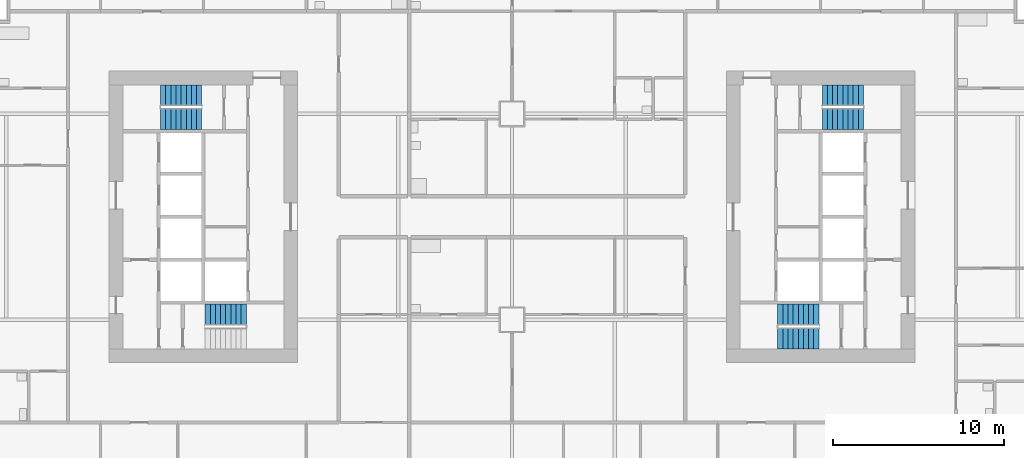
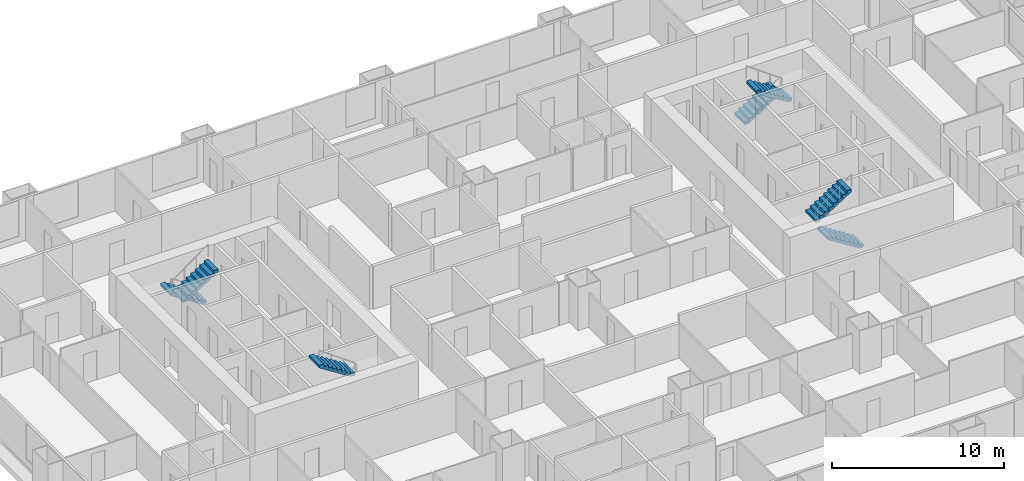
# One storey, part 11 of 13: 7 stair flights, 4 elements without a shape of their own.
"""IFC4 building model written with IfcOpenShell, lengths in metres."""

from ifc_helpers import new_model, si_unit, direction, frame, origin, place, context, subcontext, project, spatial, polyline, outline, extrude, material, type_object, element, aggregate, save


model = new_model("IFC4")

# Units and contexts
model_context = context("Model", 3, precision=1e-05, world=origin(), true_north=direction((0.0, 1.0)))
body_context = subcontext(model_context, "Body", "Model", "MODEL_VIEW")
ifc_project = project(units=[si_unit("LENGTHUNIT", "METRE"), si_unit("AREAUNIT", "SQUARE_METRE"), si_unit("VOLUMEUNIT", "CUBIC_METRE"), si_unit("PLANEANGLEUNIT", "RADIAN"), si_unit("MASSUNIT", "GRAM", prefix="KILO")], contexts=[model_context])

# Site, building, storey
site_placement = place(None, origin())
site = spatial("IfcSite", under=ifc_project, at=site_placement, CompositionType="ELEMENT")
building_placement = place(site_placement, origin())
building = spatial("IfcBuilding", under=site, at=building_placement, Name="Kitamizu Gate Tower and Museum", CompositionType="ELEMENT")
storey_placement = place(building_placement, frame((0.0, 0.0, 40.35009765625)))
storey = spatial("IfcBuildingStorey", under=building, at=storey_placement, Name="L08", CompositionType="ELEMENT", Elevation=40.35009765625)

# Stair, stair flight
ifc_material_1 = material(Name="Concrete Fc42", Category="concrete")
stair_type = type_object("IfcStairType", Name="Exit stair 1200 wide 192 rise 300 going", PredefinedType="HALF_TURN_STAIR", material=ifc_material_1)
stair_1_placement = place(storey_placement, origin())
stair_1 = element("IfcStair", 1, at=stair_1_placement, inside=storey, type_object=stair_type, Name="Exit stair ST1", PredefinedType="HALF_TURN_STAIR")
ifc_material_2 = material(Name="Concrete Fc42", Category="concrete")
stair_flight_type = type_object("IfcStairFlightType", Name="Stair flight 1200 wide 192 rise 300 going", PredefinedType="STRAIGHT", material=ifc_material_2)
stair_flight_1_placement = place(storey_placement, frame((20.5, 24.300048828125, 1.724853515625), z_axis=(0.0, 0.0, 1.0), x_axis=(-1.0, 0.0, 0.0)))
stair_flight_1 = element("IfcStairFlight", 2, at=stair_flight_1_placement, type_object=stair_flight_type, Name="ST1 flight 2", NumberOfRisers=9, NumberOfTreads=8, PredefinedType="STRAIGHT", RiserHeight=0.191666667, TreadLength=0.3, context=body_context, shape_type="SweptSolid", body=[
    extrude(outline(polyline([(0.0, 0.0), (0.0, 0.191650390625), (0.300048828125, 0.191650390625), (0.300048828125, 0.38330078125), (0.60009765625, 0.38330078125), (0.60009765625, 0.574951171875), (0.89990234375, 0.574951171875), (0.89990234375, 0.7666015625), (1.199951171875, 0.7666015625), (1.199951171875, 0.958251953125), (1.5, 0.958251953125), (1.5, 1.14990234375), (1.800048828125, 1.14990234375), (1.800048828125, 1.341552734375), (2.10009765625, 1.341552734375), (2.10009765625, 1.533447265625), (2.39990234375, 1.533447265625), (2.39990234375, 1.72509765625), (2.39990234375, 1.35546875), (0.2783203125, 0.0), (0.0, 0.0)])), frame((0.0, 0.60009765625, 0.0), z_axis=(0.0, -1.0, 0.0), x_axis=(1.0, 0.0, 0.0)), (0.0, 0.0, 1.0), 1.199951171875),
])
aggregate(stair_1, [stair_flight_1])

# Stair, stair flights
stair_2_placement = place(storey_placement, origin())
stair_2 = element("IfcStair", 3, at=stair_2_placement, inside=storey, type_object=stair_type, Name="Exit stair ST2", PredefinedType="HALF_TURN_STAIR")
stair_flight_2_placement = place(storey_placement, frame((17.89990234375, 37.10009765625, 0.0), z_axis=(0.0, 0.0, 1.0), x_axis=(-1.0, 0.0, 0.0)))
stair_flight_2 = element("IfcStairFlight", 4, at=stair_flight_2_placement, type_object=stair_flight_type, Name="ST2 flight 1", NumberOfRisers=9, NumberOfTreads=8, PredefinedType="STRAIGHT", RiserHeight=0.191666667, TreadLength=0.3, context=body_context, shape_type="SweptSolid", body=[
    extrude(outline(polyline([(0.0, 0.0), (0.0, 0.191650390625), (0.300048828125, 0.191650390625), (0.300048828125, 0.38330078125), (0.60009765625, 0.38330078125), (0.60009765625, 0.574951171875), (0.89990234375, 0.574951171875), (0.89990234375, 0.7666015625), (1.199951171875, 0.7666015625), (1.199951171875, 0.958251953125), (1.5, 0.958251953125), (1.5, 1.14990234375), (1.800048828125, 1.14990234375), (1.800048828125, 1.341552734375), (2.10009765625, 1.341552734375), (2.10009765625, 1.533447265625), (2.39990234375, 1.533447265625), (2.39990234375, 1.72509765625), (2.39990234375, 1.35546875), (0.2783203125, 0.0), (0.0, 0.0)])), frame((0.0, 0.60009765625, 0.0), z_axis=(0.0, -1.0, 0.0), x_axis=(1.0, 0.0, 0.0)), (0.0, 0.0, 1.0), 1.199951171875),
])
stair_flight_3_placement = place(storey_placement, frame((15.5, 35.699951171875, 1.724853515625), z_axis=(0.0, 0.0, 1.0), x_axis=(1.0, 0.0, 0.0)))
stair_flight_3 = element("IfcStairFlight", 5, at=stair_flight_3_placement, type_object=stair_flight_type, Name="ST2 flight 2", NumberOfRisers=9, NumberOfTreads=8, PredefinedType="STRAIGHT", RiserHeight=0.191666667, TreadLength=0.3, context=body_context, shape_type="SweptSolid", body=[
    extrude(outline(polyline([(0.0, 0.0), (0.0, 0.191650390625), (0.300048828125, 0.191650390625), (0.300048828125, 0.38330078125), (0.60009765625, 0.38330078125), (0.60009765625, 0.574951171875), (0.89990234375, 0.574951171875), (0.89990234375, 0.7666015625), (1.199951171875, 0.7666015625), (1.199951171875, 0.958251953125), (1.5, 0.958251953125), (1.5, 1.14990234375), (1.800048828125, 1.14990234375), (1.800048828125, 1.341552734375), (2.10009765625, 1.341552734375), (2.10009765625, 1.533447265625), (2.39990234375, 1.533447265625), (2.39990234375, 1.72509765625), (2.39990234375, 1.35546875), (0.2783203125, 0.0), (0.0, 0.0)])), frame((0.0, 0.60009765625, 0.0), z_axis=(0.0, -1.0, 0.0), x_axis=(1.0, 0.0, 0.0)), (0.0, 0.0, 1.0), 1.199951171875),
])
aggregate(stair_2, [stair_flight_2, stair_flight_3])

stair_3_placement = place(storey_placement, origin())
stair_3 = element("IfcStair", 6, at=stair_3_placement, inside=storey, type_object=stair_type, Name="Exit stair ST3", PredefinedType="HALF_TURN_STAIR")
stair_flight_4_placement = place(storey_placement, frame((53.89990234375, 22.89990234375, 0.0), z_axis=(0.0, 0.0, 1.0), x_axis=(-1.0, 0.0, 0.0)))
stair_flight_4 = element("IfcStairFlight", 7, at=stair_flight_4_placement, type_object=stair_flight_type, Name="ST3 flight 1", NumberOfRisers=9, NumberOfTreads=8, PredefinedType="STRAIGHT", RiserHeight=0.191666667, TreadLength=0.3, context=body_context, shape_type="SweptSolid", body=[
    extrude(outline(polyline([(0.0, 0.0), (0.0, 0.191650390625), (0.300048828125, 0.191650390625), (0.300048828125, 0.38330078125), (0.60009765625, 0.38330078125), (0.60009765625, 0.574951171875), (0.89990234375, 0.574951171875), (0.89990234375, 0.7666015625), (1.199951171875, 0.7666015625), (1.199951171875, 0.958251953125), (1.5, 0.958251953125), (1.5, 1.14990234375), (1.800048828125, 1.14990234375), (1.800048828125, 1.341552734375), (2.10009765625, 1.341552734375), (2.10009765625, 1.533447265625), (2.39990234375, 1.533447265625), (2.39990234375, 1.72509765625), (2.39990234375, 1.35546875), (0.2783203125, 0.0), (0.0, 0.0)])), frame((0.0, 0.60009765625, 0.0), z_axis=(0.0, -1.0, 0.0), x_axis=(1.0, 0.0, 0.0)), (0.0, 0.0, 1.0), 1.199951171875),
])
stair_flight_5_placement = place(storey_placement, frame((51.5, 24.300048828125, 1.724853515625), z_axis=(0.0, 0.0, 1.0), x_axis=(1.0, 0.0, 0.0)))
stair_flight_5 = element("IfcStairFlight", 8, at=stair_flight_5_placement, type_object=stair_flight_type, Name="ST3 flight 2", NumberOfRisers=9, NumberOfTreads=8, PredefinedType="STRAIGHT", RiserHeight=0.191666667, TreadLength=0.3, context=body_context, shape_type="SweptSolid", body=[
    extrude(outline(polyline([(0.0, 0.0), (0.0, 0.191650390625), (0.300048828125, 0.191650390625), (0.300048828125, 0.38330078125), (0.60009765625, 0.38330078125), (0.60009765625, 0.574951171875), (0.89990234375, 0.574951171875), (0.89990234375, 0.7666015625), (1.199951171875, 0.7666015625), (1.199951171875, 0.958251953125), (1.5, 0.958251953125), (1.5, 1.14990234375), (1.800048828125, 1.14990234375), (1.800048828125, 1.341552734375), (2.10009765625, 1.341552734375), (2.10009765625, 1.533447265625), (2.39990234375, 1.533447265625), (2.39990234375, 1.72509765625), (2.39990234375, 1.35546875), (0.2783203125, 0.0), (0.0, 0.0)])), frame((0.0, 0.60009765625, 0.0), z_axis=(0.0, -1.0, 0.0), x_axis=(1.0, 0.0, 0.0)), (0.0, 0.0, 1.0), 1.199951171875),
])
aggregate(stair_3, [stair_flight_4, stair_flight_5])

stair_4_placement = place(storey_placement, origin())
stair_4 = element("IfcStair", 9, at=stair_4_placement, inside=storey, type_object=stair_type, Name="Exit stair ST4", PredefinedType="HALF_TURN_STAIR")
stair_flight_6_placement = place(storey_placement, frame((54.10009765625, 37.10009765625, 0.0), z_axis=(0.0, 0.0, 1.0), x_axis=(1.0, 0.0, 0.0)))
stair_flight_6 = element("IfcStairFlight", 10, at=stair_flight_6_placement, type_object=stair_flight_type, Name="ST4 flight 1", NumberOfRisers=9, NumberOfTreads=8, PredefinedType="STRAIGHT", RiserHeight=0.191666667, TreadLength=0.3, context=body_context, shape_type="SweptSolid", body=[
    extrude(outline(polyline([(0.0, 0.0), (0.0, 0.191650390625), (0.300048828125, 0.191650390625), (0.300048828125, 0.38330078125), (0.60009765625, 0.38330078125), (0.60009765625, 0.574951171875), (0.89990234375, 0.574951171875), (0.89990234375, 0.7666015625), (1.199951171875, 0.7666015625), (1.199951171875, 0.958251953125), (1.5, 0.958251953125), (1.5, 1.14990234375), (1.800048828125, 1.14990234375), (1.800048828125, 1.341552734375), (2.10009765625, 1.341552734375), (2.10009765625, 1.533447265625), (2.39990234375, 1.533447265625), (2.39990234375, 1.72509765625), (2.39990234375, 1.35546875), (0.2783203125, 0.0), (0.0, 0.0)])), frame((0.0, 0.60009765625, 0.0), z_axis=(0.0, -1.0, 0.0), x_axis=(1.0, 0.0, 0.0)), (0.0, 0.0, 1.0), 1.199951171875),
])
stair_flight_7_placement = place(storey_placement, frame((56.5, 35.699951171875, 1.724853515625), z_axis=(0.0, 0.0, 1.0), x_axis=(-1.0, 0.0, 0.0)))
stair_flight_7 = element("IfcStairFlight", 11, at=stair_flight_7_placement, type_object=stair_flight_type, Name="ST4 flight 2", NumberOfRisers=9, NumberOfTreads=8, PredefinedType="STRAIGHT", RiserHeight=0.191666667, TreadLength=0.3, context=body_context, shape_type="SweptSolid", body=[
    extrude(outline(polyline([(0.0, 0.0), (0.0, 0.191650390625), (0.300048828125, 0.191650390625), (0.300048828125, 0.38330078125), (0.60009765625, 0.38330078125), (0.60009765625, 0.574951171875), (0.89990234375, 0.574951171875), (0.89990234375, 0.7666015625), (1.199951171875, 0.7666015625), (1.199951171875, 0.958251953125), (1.5, 0.958251953125), (1.5, 1.14990234375), (1.800048828125, 1.14990234375), (1.800048828125, 1.341552734375), (2.10009765625, 1.341552734375), (2.10009765625, 1.533447265625), (2.39990234375, 1.533447265625), (2.39990234375, 1.72509765625), (2.39990234375, 1.35546875), (0.2783203125, 0.0), (0.0, 0.0)])), frame((0.0, 0.60009765625, 0.0), z_axis=(0.0, -1.0, 0.0), x_axis=(1.0, 0.0, 0.0)), (0.0, 0.0, 1.0), 1.199951171875),
])
aggregate(stair_4, [stair_flight_6, stair_flight_7])

save(model, "model.ifc")
